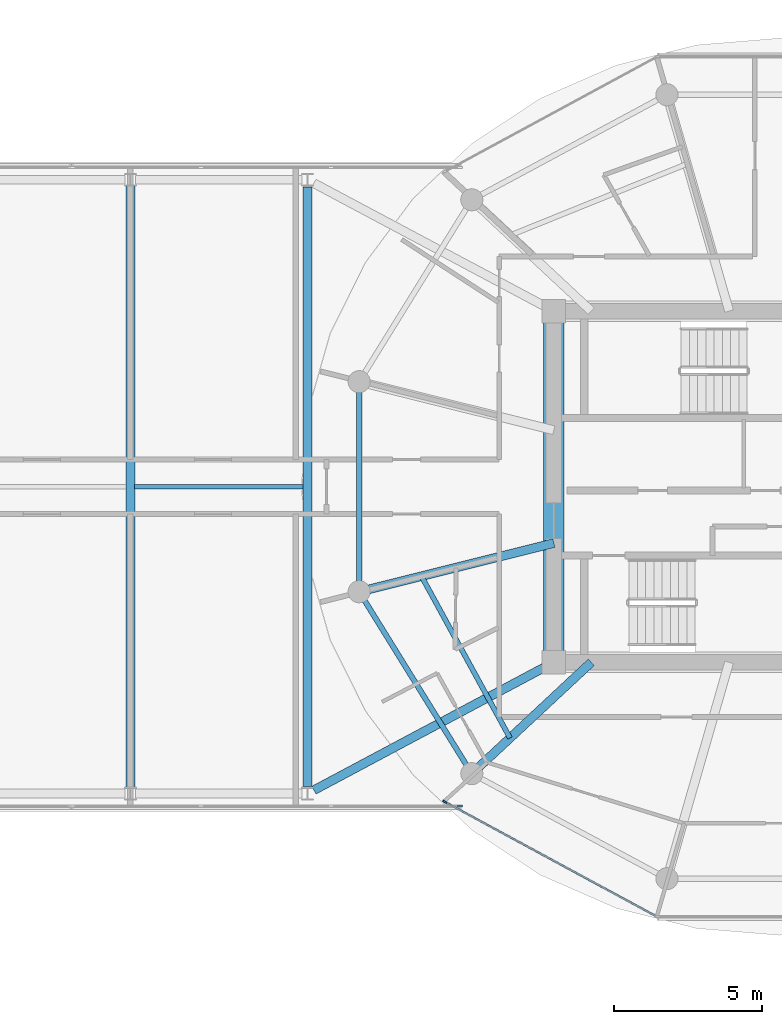
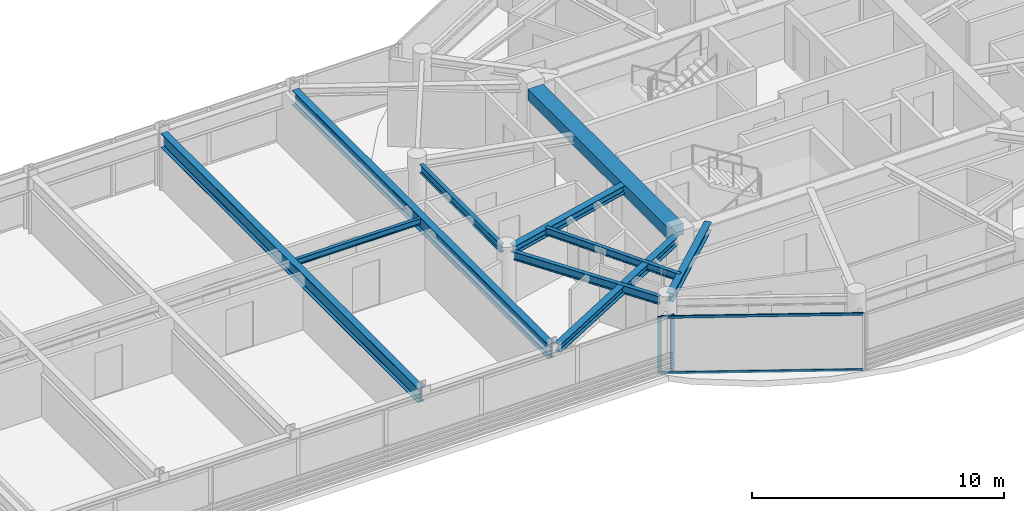
# One storey, part 7 of 24: 10 beams, 4 members, 2 elements without a shape of their own.
"""IFC4 building model written with IfcOpenShell, lengths in metres."""

from ifc_helpers import new_model, si_unit, direction, frame, origin, origin_2d, place, context, subcontext, project, spatial, rectangle, i_section, extrude, source, transform, mapped, material, layer, layer_set, material_profile, profile_set, type_object, type_shapes, element, aggregate, save


model = new_model("IFC4")

# Units and contexts
model_context = context("Model", 3, precision=1e-05, world=origin(), true_north=direction((0.0, 1.0)))
body_context = subcontext(model_context, "Body", "Model", "MODEL_VIEW")
ifc_project = project(units=[si_unit("LENGTHUNIT", "METRE"), si_unit("AREAUNIT", "SQUARE_METRE"), si_unit("VOLUMEUNIT", "CUBIC_METRE"), si_unit("PLANEANGLEUNIT", "RADIAN"), si_unit("MASSUNIT", "GRAM", prefix="KILO")], contexts=[model_context])

# Site, building, storey
site_placement = place(None, origin())
site = spatial("IfcSite", under=ifc_project, at=site_placement, CompositionType="ELEMENT")
building_placement = place(site_placement, origin())
building = spatial("IfcBuilding", under=site, at=building_placement, Name="Norrkilde Senior Care Towers", CompositionType="ELEMENT")
storey_placement = place(building_placement, frame((0.0, 0.0, 213.89990234375)))
storey = spatial("IfcBuildingStorey", under=building, at=storey_placement, Name="L66", CompositionType="ELEMENT", Elevation=213.89990234375)

# Beams
ifc_material_1 = material(Name="Concrete C60/75", Category="concrete")
ifc_material_profile_1 = material_profile(ifc_material_1, rectangle(XDim=0.699951171875, YDim=0.550048828125, at=origin_2d()), Name="RC BM 700x550")
ifc_profile_set_1 = profile_set([ifc_material_profile_1], Name="Concrete C60/75")
beam_type_1 = type_object("IfcBeamType", Name="Core Portal Coupling Beam 700x550", PredefinedType="USERDEFINED", material=ifc_profile_set_1)
shared_shape_1 = source(origin(), body_context, "Body", "SweptSolid", [
    extrude(rectangle(XDim=0.699951171875, YDim=0.550048828125, at=origin_2d()), origin(), (0.0, 0.0, 1.0), 11.14013671875),
])
type_shapes(beam_type_1, [shared_shape_1])
beam_1_placement = place(storey_placement, frame((20.35009765625, -5.570068359375, 2.485107421875), z_axis=(0.0, 1.0, 0.0), x_axis=(-1.0, 0.0, 0.0)))
element("IfcBeam", 1, at=beam_1_placement, inside=storey, type_object=beam_type_1, Name="L66 Core E W Coupling Girder", ObjectType="GIRDER", PredefinedType="USERDEFINED", context=body_context, shape_type="MappedRepresentation", body=[
    mapped(shared_shape_1, transform((0.0, 0.0, 0.0), x_axis=(1.0, 0.0, 0.0), y_axis=(0.0, 1.0, 0.0), z_axis=(0.0, 0.0, 1.0), scale=1.0)),
])
ifc_material_2 = material(Name="Steel S355", Category="steel")
ifc_material_profile_2 = material_profile(ifc_material_2, i_section(OverallWidth=0.179931640625, OverallDepth=0.39990234375, WebThickness=0.008544921875, FlangeThickness=0.013427734375, FilletRadius=0.02099609375, at=origin_2d()), Name="IPE 400")
ifc_profile_set_2 = profile_set([ifc_material_profile_2], Name="Steel S355")
beam_type_2 = type_object("IfcBeamType", Name="Perimeter Ring Spandrel Z4 IPE400", PredefinedType="SPANDREL", material=ifc_profile_set_2)
shared_shape_2 = source(origin(), body_context, "Body", "SweptSolid", [
    extrude(i_section(OverallWidth=0.179931640625, OverallDepth=0.39990234375, WebThickness=0.008544921875, FlangeThickness=0.013427734375, FilletRadius=0.02099609375, at=origin_2d()), origin(), (0.0, 0.0, 1.0), 6.58056640625),
])
beam_2_placement = place(storey_placement, frame((13.928955078125, -3.843505859375, 2.56005859375), z_axis=(0.526529583789, -0.850156807533, 0.0), x_axis=(0.850156807533, 0.526529583789, 0.0)))
element("IfcBeam", 2, at=beam_2_placement, inside=storey, type_object=beam_type_2, Name="L66 Drum E Perimeter Spandrel 07", PredefinedType="SPANDREL", context=body_context, shape_type="MappedRepresentation", body=[
    mapped(shared_shape_2, transform((0.0, 0.0, 0.0), x_axis=(1.0, 0.0, 0.0), y_axis=(0.0, 1.0, 0.0), z_axis=(0.0, 0.0, 1.0), scale=1.0)),
])
ifc_material_profile_3 = material_profile(ifc_material_2, i_section(OverallWidth=0.300048828125, OverallDepth=0.39990234375, WebThickness=0.013427734375, FlangeThickness=0.02392578125, FilletRadius=0.027099609375, at=origin_2d()), Name="HEB 400")
ifc_profile_set_3 = profile_set([ifc_material_profile_3], Name="Steel S355")
beam_type_3 = type_object("IfcBeamType", Name="Radial Floor Beam Z4 HEB400", PredefinedType="BEAM", material=ifc_profile_set_3)
shared_shape_3 = source(origin(), body_context, "Body", "SweptSolid", [
    extrude(i_section(OverallWidth=0.300048828125, OverallDepth=0.39990234375, WebThickness=0.013427734375, FlangeThickness=0.02392578125, FilletRadius=0.027099609375, at=origin_2d()), origin(), (0.0, 0.0, 1.0), 6.465087890625),
])
beam_3_placement = place(storey_placement, frame((20.35009765625, -1.910888671875, 2.56005859375), z_axis=(-0.970195788563, -0.242322371758, 0.0), x_axis=(0.242322371758, -0.970195788563, 0.0)))
element("IfcBeam", 3, at=beam_3_placement, inside=storey, type_object=beam_type_3, Name="L66 Drum E Radial Floor Beam 07", PredefinedType="BEAM", context=body_context, shape_type="MappedRepresentation", body=[
    mapped(shared_shape_3, transform((0.0, 0.0, 0.0), x_axis=(1.0, 0.0, 0.0), y_axis=(0.0, 1.0, 0.0), z_axis=(0.0, 0.0, 1.0), scale=1.0)),
])
shared_shape_4 = source(origin(), body_context, "Body", "SweptSolid", [
    extrude(i_section(OverallWidth=0.300048828125, OverallDepth=0.39990234375, WebThickness=0.013427734375, FlangeThickness=0.02392578125, FilletRadius=0.027099609375, at=origin_2d()), origin(), (0.0, 0.0, 1.0), 5.197998046875),
])
beam_4_placement = place(storey_placement, frame((21.6171875, -5.949951171875, 2.56005859375), z_axis=(-0.731448749334, -0.681896419625, 0.0), x_axis=(0.681896419625, -0.731448749334, 0.0)))
element("IfcBeam", 4, at=beam_4_placement, inside=storey, type_object=beam_type_3, Name="L66 Drum E Radial Floor Beam 08", PredefinedType="BEAM", context=body_context, shape_type="MappedRepresentation", body=[
    mapped(shared_shape_4, transform((0.0, 0.0, 0.0), x_axis=(1.0, 0.0, 0.0), y_axis=(0.0, 1.0, 0.0), z_axis=(0.0, 0.0, 1.0), scale=1.0)),
])
shared_shape_5 = source(origin(), body_context, "Body", "SweptSolid", [
    extrude(i_section(OverallWidth=0.179931640625, OverallDepth=0.39990234375, WebThickness=0.008544921875, FlangeThickness=0.013427734375, FilletRadius=0.02099609375, at=origin_2d()), origin(), (0.0, 0.0, 1.0), 6.44775390625),
])
type_shapes(beam_type_2, [shared_shape_2, shared_shape_5])
beam_5_placement = place(storey_placement, frame((13.752685546875, 3.223876953125, 2.56005859375), z_axis=(0.0, -1.0, 0.0), x_axis=(1.0, 0.0, 0.0)))
element("IfcBeam", 5, at=beam_5_placement, inside=storey, type_object=beam_type_2, Name="L66 Drum E Perimeter Spandrel 06", PredefinedType="SPANDREL", context=body_context, shape_type="MappedRepresentation", body=[
    mapped(shared_shape_5, transform((0.0, 0.0, 0.0), x_axis=(1.0, 0.0, 0.0), y_axis=(0.0, 1.0, 0.0), z_axis=(0.0, 0.0, 1.0), scale=1.0)),
])
ifc_material_profile_4 = material_profile(ifc_material_2, i_section(OverallWidth=0.169921875, OverallDepth=0.360107421875, WebThickness=0.008056640625, FlangeThickness=0.0126953125, FilletRadius=0.01806640625, at=origin_2d()), Name="IPE 360")
ifc_profile_set_4 = profile_set([ifc_material_profile_4], Name="Steel S355")
beam_type_4 = type_object("IfcBeamType", Name="Secondary Floor Joist IPE360", PredefinedType="JOIST", material=ifc_profile_set_4)
shared_shape_6 = source(origin(), body_context, "Body", "SweptSolid", [
    extrude(i_section(OverallWidth=0.169921875, OverallDepth=0.360107421875, WebThickness=0.008056640625, FlangeThickness=0.0126953125, FilletRadius=0.01806640625, at=origin_2d()), origin(), (0.0, 0.0, 1.0), 6.25146484375),
])
type_shapes(beam_type_4, [shared_shape_6])
beam_6_placement = place(storey_placement, frame((15.86376953125, -3.031494140625, 2.580078125), z_axis=(0.480115752653, -0.877205143655, 0.0), x_axis=(0.877205143655, 0.480115752653, 0.0)))
element("IfcBeam", 6, at=beam_6_placement, inside=storey, type_object=beam_type_4, Name="L66 Drum E Secondary Floor Joist 3", PredefinedType="JOIST", context=body_context, shape_type="MappedRepresentation", body=[
    mapped(shared_shape_6, transform((0.0, 0.0, 0.0), x_axis=(1.0, 0.0, 0.0), y_axis=(0.0, 1.0, 0.0), z_axis=(0.0, 0.0, 1.0), scale=1.0)),
])
ifc_material_profile_5 = material_profile(ifc_material_2, i_section(OverallWidth=0.300048828125, OverallDepth=0.699951171875, WebThickness=0.01708984375, FlangeThickness=0.031982421875, FilletRadius=0.027099609375, at=origin_2d()), Name="HEB 700")
ifc_profile_set_5 = profile_set([ifc_material_profile_5], Name="Steel S355")
beam_type_5 = type_object("IfcBeamType", Name="Bridge Cross Girder HEB700", PredefinedType="USERDEFINED", material=ifc_profile_set_5)
shared_shape_7 = source(origin(), body_context, "Body", "SweptSolid", [
    extrude(i_section(OverallWidth=0.300048828125, OverallDepth=0.699951171875, WebThickness=0.01708984375, FlangeThickness=0.031982421875, FilletRadius=0.027099609375, at=origin_2d()), origin(), (0.0, 0.0, 1.0), 20.31982421875),
])
beam_7_placement = place(storey_placement, frame((12.0, -10.159912109375, 2.41015625), z_axis=(0.0, 1.0, 0.0), x_axis=(-1.0, 0.0, 0.0)))
element("IfcBeam", 7, at=beam_7_placement, inside=storey, type_object=beam_type_5, Name="L66 Sky-Gate Bridge Cross Girder +12", ObjectType="GIRDER", PredefinedType="USERDEFINED", context=body_context, shape_type="MappedRepresentation", body=[
    mapped(shared_shape_7, transform((0.0, 0.0, 0.0), x_axis=(1.0, 0.0, 0.0), y_axis=(0.0, 1.0, 0.0), z_axis=(0.0, 0.0, 1.0), scale=1.0)),
])
shared_shape_8 = source(origin(), body_context, "Body", "SweptSolid", [
    extrude(i_section(OverallWidth=0.300048828125, OverallDepth=0.699951171875, WebThickness=0.01708984375, FlangeThickness=0.031982421875, FilletRadius=0.027099609375, at=origin_2d()), origin(), (0.0, 0.0, 1.0), 20.43994140625),
])
type_shapes(beam_type_5, [shared_shape_7, shared_shape_8])
beam_8_placement = place(storey_placement, frame((6.0, -10.219970703125, 2.41015625), z_axis=(0.0, 1.0, 0.0), x_axis=(-1.0, 0.0, 0.0)))
element("IfcBeam", 8, at=beam_8_placement, inside=storey, type_object=beam_type_5, Name="L66 Sky-Gate Bridge Cross Girder +6", ObjectType="GIRDER", PredefinedType="USERDEFINED", context=body_context, shape_type="MappedRepresentation", body=[
    mapped(shared_shape_8, transform((0.0, 0.0, 0.0), x_axis=(1.0, 0.0, 0.0), y_axis=(0.0, 1.0, 0.0), z_axis=(0.0, 0.0, 1.0), scale=1.0)),
])
shared_shape_9 = source(origin(), body_context, "Body", "SweptSolid", [
    extrude(i_section(OverallWidth=0.300048828125, OverallDepth=0.39990234375, WebThickness=0.013427734375, FlangeThickness=0.02392578125, FilletRadius=0.027099609375, at=origin_2d()), origin(), (0.0, 0.0, 1.0), 8.831787109375),
])
type_shapes(beam_type_3, [shared_shape_3, shared_shape_4, shared_shape_9])
beam_9_placement = place(storey_placement, frame((12.220703125, -10.282470703125, 2.56005859375), z_axis=(0.882492172381, 0.470327083727, 0.0), x_axis=(-0.470327083727, 0.882492172381, 0.0)))
element("IfcBeam", 9, at=beam_9_placement, inside=storey, type_object=beam_type_3, Name="L66 Sky-Gate Bridge Girder S6", PredefinedType="BEAM", context=body_context, shape_type="MappedRepresentation", body=[
    mapped(shared_shape_9, transform((0.0, 0.0, 0.0), x_axis=(1.0, 0.0, 0.0), y_axis=(0.0, 1.0, 0.0), z_axis=(0.0, 0.0, 1.0), scale=1.0)),
])
ifc_material_profile_6 = material_profile(ifc_material_2, i_section(OverallWidth=0.14990234375, OverallDepth=0.300048828125, WebThickness=0.007080078125, FlangeThickness=0.0107421875, FilletRadius=0.014892578125, at=origin_2d()), Name="IPE 300")
ifc_profile_set_6 = profile_set([ifc_material_profile_6], Name="Steel S355")
beam_type_6 = type_object("IfcBeamType", Name="Bridge Deck Joist IPE300", PredefinedType="JOIST", material=ifc_profile_set_6)
shared_shape_10 = source(origin(), body_context, "Body", "SweptSolid", [
    extrude(i_section(OverallWidth=0.14990234375, OverallDepth=0.300048828125, WebThickness=0.007080078125, FlangeThickness=0.0107421875, FilletRadius=0.014892578125, at=origin_2d()), origin(), (0.0, 0.0, 1.0), 5.7099609375),
])
type_shapes(beam_type_6, [shared_shape_10])
beam_10_placement = place(storey_placement, frame((6.14501953125, 0.0, 2.610107421875), z_axis=(1.0, 0.0, 0.0), x_axis=(0.0, 1.0, 0.0)))
element("IfcBeam", 10, at=beam_10_placement, inside=storey, type_object=beam_type_6, Name="L66 Bridge Deck Joist 4", PredefinedType="JOIST", context=body_context, shape_type="MappedRepresentation", body=[
    mapped(shared_shape_10, transform((0.0, 0.0, 0.0), x_axis=(1.0, 0.0, 0.0), y_axis=(0.0, 1.0, 0.0), z_axis=(0.0, 0.0, 1.0), scale=1.0)),
])

# Curtain wall, members
ifc_material_3 = material(Name="Triple Low-E Insulated Glazing", Category="glass")
ifc_layer_1 = layer(ifc_material_3, 0.18505859375)
ifc_layer_set_1 = layer_set([ifc_layer_1], Name="Triple Low-E Insulated Glazing")
curtain_wall_type_1 = type_object("IfcCurtainWallType", Name="CW6 Zone 4 Crown Pavilion Curtain Wall", PredefinedType="NOTDEFINED", material=ifc_layer_set_1)
curtain_wall_1_placement = place(storey_placement, origin())
curtain_wall_1 = element("IfcCurtainWall", 11, at=curtain_wall_1_placement, inside=storey, type_object=curtain_wall_type_1, Name="L66 Drum E Curtain Wall 07", PredefinedType="NOTDEFINED")
ifc_material_4 = material(Name="Anodised Aluminium", Category="aluminium")
ifc_material_profile_7 = material_profile(ifc_material_4, rectangle(XDim=0.06005859375, YDim=0.1201171875, at=origin_2d()), Name="ALU TRAN 60x120")
ifc_profile_set_7 = profile_set([ifc_material_profile_7], Name="Anodised Aluminium")
member_type_1 = type_object("IfcMemberType", Name="Curtain Wall Transom Typical 60x120", PredefinedType="USERDEFINED", material=ifc_profile_set_7)
shared_shape_11 = source(origin(), body_context, "Body", "SweptSolid", [
    extrude(rectangle(XDim=0.06005859375, YDim=0.1201171875, at=origin_2d()), origin(), (0.0, 0.0, 1.0), 8.0673828125),
])
type_shapes(member_type_1, [shared_shape_11])
member_1_placement = place(storey_placement, frame((23.781005859375, -14.53515625, 0.030029296875), z_axis=(-0.87937750072, 0.476125205411, 0.0), x_axis=(-0.476125205411, -0.87937750072, 0.0)))
member_1 = element("IfcMember", 12, at=member_1_placement, type_object=member_type_1, Name="CW-6 transom 1.1", ObjectType="TRANSOM", PredefinedType="USERDEFINED", context=body_context, shape_type="MappedRepresentation", body=[
    mapped(shared_shape_11, transform((0.0, 0.0, 0.0), x_axis=(1.0, 0.0, 0.0), y_axis=(0.0, 1.0, 0.0), z_axis=(0.0, 0.0, 1.0), scale=1.0)),
])
member_2_placement = place(storey_placement, frame((23.781005859375, -14.53515625, 2.72998046875), z_axis=(-0.87937750072, 0.476125205411, 0.0), x_axis=(-0.476125205411, -0.87937750072, 0.0)))
member_2 = element("IfcMember", 13, at=member_2_placement, type_object=member_type_1, Name="CW-6 transom 1.2", ObjectType="TRANSOM", PredefinedType="USERDEFINED", context=body_context, shape_type="MappedRepresentation", body=[
    mapped(shared_shape_11, transform((0.0, 0.0, 0.0), x_axis=(1.0, 0.0, 0.0), y_axis=(0.0, 1.0, 0.0), z_axis=(0.0, 0.0, 1.0), scale=1.0)),
])
ifc_material_profile_8 = material_profile(ifc_material_4, rectangle(XDim=0.06494140625, YDim=0.14990234375, at=origin_2d()), Name="ALU MULL 65x150")
ifc_profile_set_8 = profile_set([ifc_material_profile_8], Name="Anodised Aluminium")
member_type_2 = type_object("IfcMemberType", Name="Curtain Wall Mullion Z3-Z4 65x150", PredefinedType="MULLION", material=ifc_profile_set_8)
shared_shape_12 = source(origin(), body_context, "Body", "SweptSolid", [
    extrude(rectangle(XDim=0.06494140625, YDim=0.14990234375, at=origin_2d()), origin(), (0.0, 0.0, 1.0), 2.760009765625),
])
type_shapes(member_type_2, [shared_shape_12])
member_3_placement = place(storey_placement, frame((16.658203125, -10.6787109375, 0.0), z_axis=(0.0, 0.0, 1.0), x_axis=(-0.476132676136, -0.879373455772, 0.0)))
member_3 = element("IfcMember", 14, at=member_3_placement, type_object=member_type_2, Name="CW-6 mullion 2", PredefinedType="MULLION", context=body_context, shape_type="MappedRepresentation", body=[
    mapped(shared_shape_12, transform((0.0, 0.0, 0.0), x_axis=(1.0, 0.0, 0.0), y_axis=(0.0, 1.0, 0.0), z_axis=(0.0, 0.0, 1.0), scale=1.0)),
])
aggregate(curtain_wall_1, [member_3, member_1, member_2])

# Curtain wall, member
ifc_layer_2 = layer(ifc_material_3, 0.2099609375)
ifc_layer_set_2 = layer_set([ifc_layer_2], Name="Triple Low-E Insulated Glazing")
curtain_wall_type_2 = type_object("IfcCurtainWallType", Name="CW5 Sky-Gate Bridge Curtain Wall", PredefinedType="NOTDEFINED", material=ifc_layer_set_2)
curtain_wall_2_placement = place(storey_placement, origin())
curtain_wall_2 = element("IfcCurtainWall", 15, at=curtain_wall_2_placement, inside=storey, type_object=curtain_wall_type_2, Name="L66 Sky-Gate Bridge South Curtain Wall 1", PredefinedType="NOTDEFINED")
ifc_material_profile_9 = material_profile(ifc_material_4, rectangle(XDim=0.070068359375, YDim=0.169921875, at=origin_2d()), Name="ALU MULL 70x170")
ifc_profile_set_9 = profile_set([ifc_material_profile_9], Name="Anodised Aluminium")
member_type_3 = type_object("IfcMemberType", Name="Curtain Wall Mullion Heavy 70x170", PredefinedType="MULLION", material=ifc_profile_set_9)
shared_shape_13 = source(origin(), body_context, "Body", "SweptSolid", [
    extrude(rectangle(XDim=0.070068359375, YDim=0.169921875, at=origin_2d()), origin(), (0.0, 0.0, 1.0), 2.760009765625),
])
type_shapes(member_type_3, [shared_shape_13])
member_4_placement = place(storey_placement, frame((17.1650390625, -10.820068359375, 0.0), z_axis=(0.0, 0.0, 1.0), x_axis=(0.0, -1.0, 0.0)))
member_4 = element("IfcMember", 16, at=member_4_placement, type_object=member_type_3, Name="CW-5 mullion 1", PredefinedType="MULLION", context=body_context, shape_type="MappedRepresentation", body=[
    mapped(shared_shape_13, transform((0.0, 0.0, 0.0), x_axis=(1.0, 0.0, 0.0), y_axis=(0.0, 1.0, 0.0), z_axis=(0.0, 0.0, 1.0), scale=1.0)),
])
aggregate(curtain_wall_2, [member_4])

save(model, "model.ifc")
